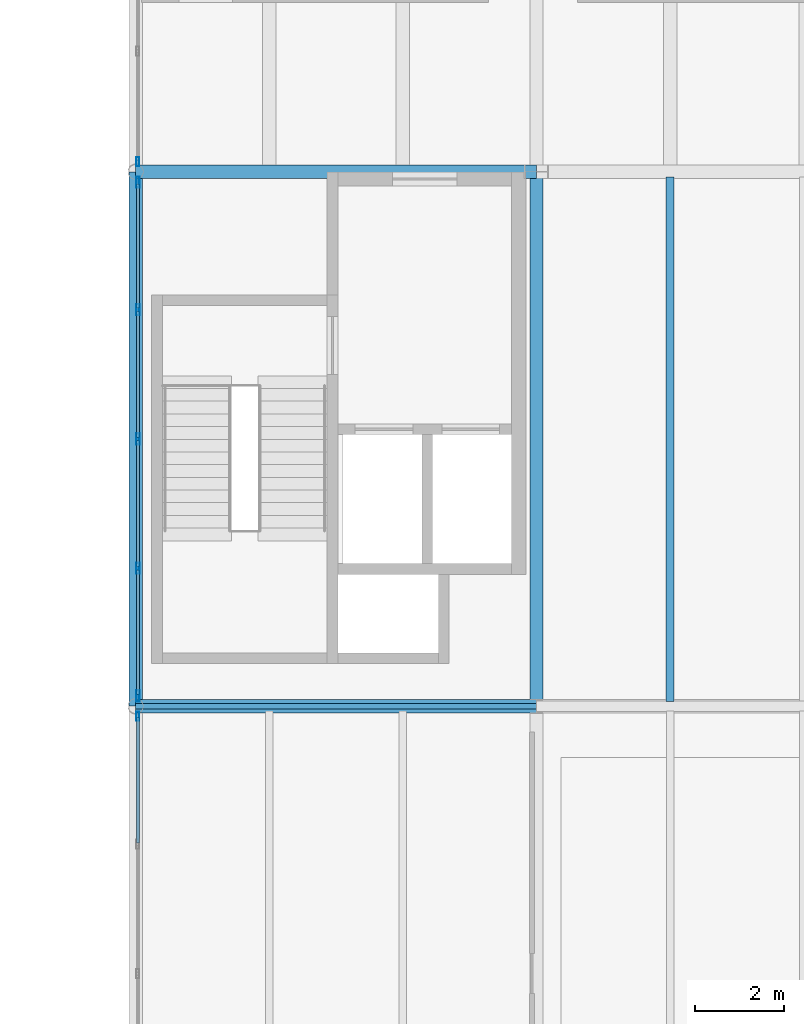
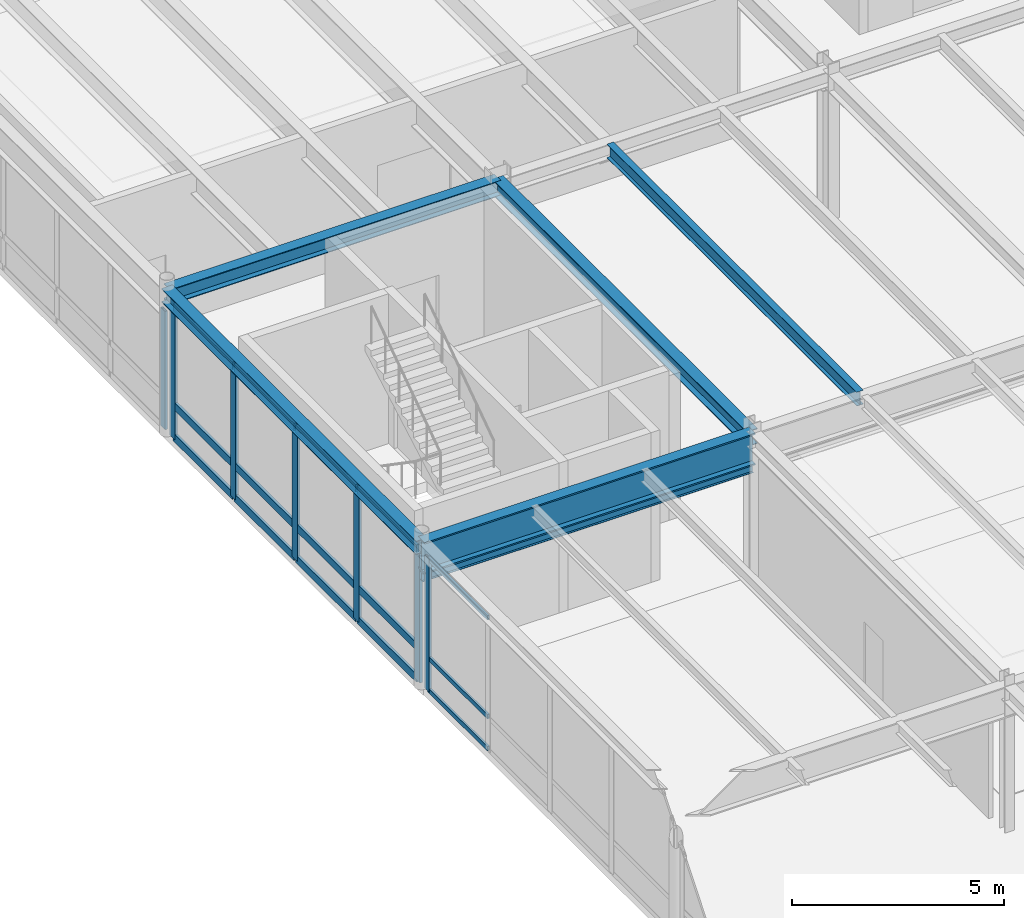
# One storey, part 72 of 127: 22 members, 6 beams, 3 elements without a shape of their own.
"""IFC4 building model written with IfcOpenShell, lengths in metres."""

from ifc_helpers import new_model, si_unit, direction, frame, origin, origin_2d, place, context, subcontext, project, spatial, hollow_rectangle, i_section, extrude, material, layer, layer_set, material_profile, profile_set, type_object, element, aggregate, save


model = new_model("IFC4")

# Units and contexts
model_context = context("Model", 3, precision=1e-05, world=origin(), true_north=direction((0.0, 1.0)))
body_context = subcontext(model_context, "Body", "Model", "MODEL_VIEW")
ifc_project = project(units=[si_unit("LENGTHUNIT", "METRE"), si_unit("AREAUNIT", "SQUARE_METRE"), si_unit("VOLUMEUNIT", "CUBIC_METRE"), si_unit("PLANEANGLEUNIT", "RADIAN"), si_unit("MASSUNIT", "GRAM", prefix="KILO")], contexts=[model_context])

# Site, building, storey
site_placement = place(None, origin())
site = spatial("IfcSite", under=ifc_project, at=site_placement, CompositionType="ELEMENT")
building_placement = place(site_placement, origin())
building = spatial("IfcBuilding", under=site, at=building_placement, Name="Montelvaro Courts of Justice", CompositionType="ELEMENT")
storey_placement = place(building_placement, frame((0.0, 0.0, 5.39990234375)))
storey = spatial("IfcBuildingStorey", under=building, at=storey_placement, Name="L01", CompositionType="ELEMENT", Elevation=5.39990234375)

# Beams
ifc_material_1 = material(Name="Steel S355", Category="steel")
ifc_material_profile_1 = material_profile(ifc_material_1, i_section(OverallWidth=0.300048828125, OverallDepth=0.389892578125, WebThickness=0.010986328125, FlangeThickness=0.01904296875, at=origin_2d()), Name="HEA 400")
ifc_profile_set_1 = profile_set([ifc_material_profile_1], Name="Steel S355")
beam_type_1 = type_object("IfcBeamType", Name="Beam_HEA400", PredefinedType="USERDEFINED", material=ifc_profile_set_1)
beam_1_placement = place(storey_placement, frame((99.0, 66.0, 4.005126953125), z_axis=(0.0, 1.0, 0.0), x_axis=(-1.0, 0.0, 0.0)))
element("IfcBeam", 1, at=beam_1_placement, inside=storey, type_object=beam_type_1, Name="Beam B-17 L01", ObjectType="GIRDER", PredefinedType="USERDEFINED", context=body_context, shape_type="SweptSolid", body=[
    extrude(i_section(OverallWidth=0.300048828125, OverallDepth=0.389892578125, WebThickness=0.010986328125, FlangeThickness=0.01904296875, at=origin_2d()), origin(), (0.0, 0.0, 1.0), 12.0),
])
ifc_material_profile_2 = material_profile(ifc_material_1, i_section(OverallWidth=0.300048828125, OverallDepth=0.43994140625, WebThickness=0.011474609375, FlangeThickness=0.02099609375, at=origin_2d()), Name="HEA 450")
ifc_profile_set_2 = profile_set([ifc_material_profile_2], Name="Steel S355")
beam_type_2 = type_object("IfcBeamType", Name="Beam_HEA450", PredefinedType="USERDEFINED", material=ifc_profile_set_2)
beam_2_placement = place(storey_placement, frame((99.0, 78.0, 3.97998046875), z_axis=(1.0, 0.0, 0.0), x_axis=(0.0, 1.0, 0.0)))
element("IfcBeam", 2, at=beam_2_placement, inside=storey, type_object=beam_type_2, Name="Beam B-18 L01", ObjectType="GIRDER", PredefinedType="USERDEFINED", context=body_context, shape_type="SweptSolid", body=[
    extrude(i_section(OverallWidth=0.300048828125, OverallDepth=0.43994140625, WebThickness=0.011474609375, FlangeThickness=0.02099609375, at=origin_2d()), origin(), (0.0, 0.0, 1.0), 9.0),
])
beam_3_placement = place(storey_placement, frame((108.0, 66.0, 3.97998046875), z_axis=(0.0, 1.0, 0.0), x_axis=(-1.0, 0.0, 0.0)))
element("IfcBeam", 3, at=beam_3_placement, inside=storey, type_object=beam_type_2, Name="Beam B-18 L01", ObjectType="GIRDER", PredefinedType="USERDEFINED", context=body_context, shape_type="SweptSolid", body=[
    extrude(i_section(OverallWidth=0.300048828125, OverallDepth=0.43994140625, WebThickness=0.011474609375, FlangeThickness=0.02099609375, at=origin_2d()), origin(), (0.0, 0.0, 1.0), 12.0),
])
ifc_material_profile_3 = material_profile(ifc_material_1, i_section(OverallWidth=0.302001953125, OverallDepth=0.909912109375, WebThickness=0.02099609375, FlangeThickness=0.0400390625, at=origin_2d()), Name="HEM 900")
ifc_profile_set_3 = profile_set([ifc_material_profile_3], Name="Steel S355")
beam_type_3 = type_object("IfcBeamType", Name="Beam_HEM900", PredefinedType="USERDEFINED", material=ifc_profile_set_3)
beam_4_placement = place(storey_placement, frame((99.0, 66.0, 3.7451171875), z_axis=(1.0, 0.0, 0.0), x_axis=(0.0, 1.0, 0.0)))
element("IfcBeam", 4, at=beam_4_placement, inside=storey, type_object=beam_type_3, Name="Beam B-31 L01", ObjectType="GIRDER", PredefinedType="USERDEFINED", context=body_context, shape_type="SweptSolid", body=[
    extrude(i_section(OverallWidth=0.302001953125, OverallDepth=0.909912109375, WebThickness=0.02099609375, FlangeThickness=0.0400390625, at=origin_2d()), origin(), (0.0, 0.0, 1.0), 9.0),
])
ifc_material_profile_4 = material_profile(ifc_material_1, i_section(OverallWidth=0.1201171875, OverallDepth=0.239990234375, WebThickness=0.006103515625, FlangeThickness=0.009765625, at=origin_2d()), Name="IPE 240")
ifc_profile_set_4 = profile_set([ifc_material_profile_4], Name="Steel S355")
beam_type_4 = type_object("IfcBeamType", Name="Beam_IPE240", PredefinedType="LINTEL", material=ifc_profile_set_4)
beam_5_placement = place(storey_placement, frame((99.0, 66.0, 3.130126953125), z_axis=(1.0, 0.0, 0.0), x_axis=(0.0, 1.0, 0.0)))
element("IfcBeam", 5, at=beam_5_placement, inside=storey, type_object=beam_type_4, Name="Beam B-03 L01", PredefinedType="LINTEL", context=body_context, shape_type="SweptSolid", body=[
    extrude(i_section(OverallWidth=0.1201171875, OverallDepth=0.239990234375, WebThickness=0.006103515625, FlangeThickness=0.009765625, at=origin_2d()), origin(), (0.0, 0.0, 1.0), 9.0),
])
ifc_material_profile_5 = material_profile(ifc_material_1, i_section(OverallWidth=0.179931640625, OverallDepth=0.39990234375, WebThickness=0.008544921875, FlangeThickness=0.013427734375, at=origin_2d()), Name="IPE 400")
ifc_profile_set_5 = profile_set([ifc_material_profile_5], Name="Steel S355")
beam_type_5 = type_object("IfcBeamType", Name="Beam_IPE400", PredefinedType="BEAM", material=ifc_profile_set_5)
beam_6_placement = place(storey_placement, frame((111.0, 66.110107421875, 4.0), z_axis=(0.0, 1.0, 0.0), x_axis=(-1.0, 0.0, 0.0)))
element("IfcBeam", 6, at=beam_6_placement, inside=storey, type_object=beam_type_5, Name="Beam B-08 L01", PredefinedType="BEAM", context=body_context, shape_type="SweptSolid", body=[
    extrude(i_section(OverallWidth=0.179931640625, OverallDepth=0.39990234375, WebThickness=0.008544921875, FlangeThickness=0.013427734375, at=origin_2d()), origin(), (0.0, 0.0, 1.0), 11.77978515625),
])

# Curtain wall, member
ifc_material_2 = material(Name="Anodised aluminium EN AW-6063", Category="aluminium")
ifc_layer_1 = layer(ifc_material_2, 0.159912109375)
ifc_layer_set_1 = layer_set([ifc_layer_1], Name="Anodised aluminium EN AW-6063")
curtain_wall_type_1 = type_object("IfcCurtainWallType", Name="CurtainWall_22_1761x418", PredefinedType="USERDEFINED", material=ifc_layer_set_1)
curtain_wall_1_placement = place(storey_placement, origin())
curtain_wall_1 = element("IfcCurtainWall", 7, at=curtain_wall_1_placement, inside=storey, type_object=curtain_wall_type_1, Name="Curtain Wall CW-22 (L01)", ObjectType="CURTAIN WALL", PredefinedType="USERDEFINED")
ifc_material_profile_6 = material_profile(ifc_material_2, hollow_rectangle(XDim=0.06494140625, YDim=0.2099609375, WallThickness=0.0048828125, at=origin_2d()), Name="ALU-M 65x210")
ifc_profile_set_6 = profile_set([ifc_material_profile_6], Name="Anodised aluminium EN AW-6063")
member_type_1 = type_object("IfcMemberType", Name="CurtainWall_Mullion_65x210", PredefinedType="MULLION", material=ifc_profile_set_6)
member_1_placement = place(storey_placement, frame((99.050048828125, 78.225341796875, 0.0), z_axis=(0.0, 0.0, 1.0), x_axis=(1.0, 0.0, 0.0)))
member_1 = element("IfcMember", 8, at=member_1_placement, type_object=member_type_1, Name="CW-22 mullion 8", PredefinedType="MULLION", context=body_context, shape_type="SweptSolid", body=[
    extrude(hollow_rectangle(XDim=0.06494140625, YDim=0.2099609375, WallThickness=0.0048828125, at=origin_2d()), origin(), (0.0, 0.0, 1.0), 3.405029296875),
])
aggregate(curtain_wall_1, [member_1])

ifc_layer_2 = layer(ifc_material_2, 0.159912109375)
ifc_layer_set_2 = layer_set([ifc_layer_2], Name="Anodised aluminium EN AW-6063")
curtain_wall_type_2 = type_object("IfcCurtainWallType", Name="CurtainWall_16_1165x418", PredefinedType="USERDEFINED", material=ifc_layer_set_2)
curtain_wall_2_placement = place(storey_placement, origin())
curtain_wall_2 = element("IfcCurtainWall", 9, at=curtain_wall_2_placement, inside=storey, type_object=curtain_wall_type_2, Name="Curtain Wall CW-16 (L01)", ObjectType="CURTAIN WALL", PredefinedType="USERDEFINED")
member_2_placement = place(storey_placement, frame((99.050048828125, 65.774658203125, 0.0), z_axis=(0.0, 0.0, 1.0), x_axis=(1.0, 0.0, 0.0)))
member_2 = element("IfcMember", 10, at=member_2_placement, type_object=member_type_1, Name="CW-16 mullion 1", PredefinedType="MULLION", context=body_context, shape_type="SweptSolid", body=[
    extrude(hollow_rectangle(XDim=0.06494140625, YDim=0.2099609375, WallThickness=0.0048828125, at=origin_2d()), origin(), (0.0, 0.0, 1.0), 3.8251953125),
])

# Curtain wall, members
ifc_layer_3 = layer(ifc_material_2, 0.159912109375)
ifc_layer_set_3 = layer_set([ifc_layer_3], Name="Anodised aluminium EN AW-6063")
curtain_wall_type_3 = type_object("IfcCurtainWallType", Name="CurtainWall_19_1159x418", PredefinedType="USERDEFINED", material=ifc_layer_set_3)
curtain_wall_3_placement = place(storey_placement, origin())
curtain_wall_3 = element("IfcCurtainWall", 11, at=curtain_wall_3_placement, inside=storey, type_object=curtain_wall_type_3, Name="Curtain Wall CW-19 (L01)", ObjectType="CURTAIN WALL", PredefinedType="USERDEFINED")
ifc_material_profile_7 = material_profile(ifc_material_2, hollow_rectangle(XDim=0.074951171875, YDim=0.25, WallThickness=0.005615234375, at=origin_2d()), Name="ALU-M 75x250")
ifc_profile_set_7 = profile_set([ifc_material_profile_7], Name="Anodised aluminium EN AW-6063")
member_type_2 = type_object("IfcMemberType", Name="CurtainWall_Mullion_75x250", PredefinedType="MULLION", material=ifc_profile_set_7)
member_3_placement = place(storey_placement, frame((99.050048828125, 77.769775390625, 0.0), z_axis=(0.0, 0.0, 1.0), x_axis=(1.0, 0.0, 0.0)))
member_3 = element("IfcMember", 12, at=member_3_placement, type_object=member_type_2, Name="CW-19 mullion 1", PredefinedType="MULLION", context=body_context, shape_type="SweptSolid", body=[
    extrude(hollow_rectangle(XDim=0.074951171875, YDim=0.25, WallThickness=0.005615234375, at=origin_2d()), origin(), (0.0, 0.0, 1.0), 3.80517578125),
])
member_4_placement = place(storey_placement, frame((99.050048828125, 74.903564453125, 0.0), z_axis=(0.0, 0.0, 1.0), x_axis=(1.0, 0.0, 0.0)))
member_4 = element("IfcMember", 13, at=member_4_placement, type_object=member_type_2, Name="CW-19 mullion 2", PredefinedType="MULLION", context=body_context, shape_type="SweptSolid", body=[
    extrude(hollow_rectangle(XDim=0.074951171875, YDim=0.25, WallThickness=0.005615234375, at=origin_2d()), origin(), (0.0, 0.0, 1.0), 3.80517578125),
])
member_5_placement = place(storey_placement, frame((99.050048828125, 72.0, 0.0), z_axis=(0.0, 0.0, 1.0), x_axis=(1.0, 0.0, 0.0)))
member_5 = element("IfcMember", 14, at=member_5_placement, type_object=member_type_2, Name="CW-19 mullion 3", PredefinedType="MULLION", context=body_context, shape_type="SweptSolid", body=[
    extrude(hollow_rectangle(XDim=0.074951171875, YDim=0.25, WallThickness=0.005615234375, at=origin_2d()), origin(), (0.0, 0.0, 1.0), 3.80517578125),
])
member_6_placement = place(storey_placement, frame((99.050048828125, 69.096435546875, 0.0), z_axis=(0.0, 0.0, 1.0), x_axis=(1.0, 0.0, 0.0)))
member_6 = element("IfcMember", 15, at=member_6_placement, type_object=member_type_2, Name="CW-19 mullion 4", PredefinedType="MULLION", context=body_context, shape_type="SweptSolid", body=[
    extrude(hollow_rectangle(XDim=0.074951171875, YDim=0.25, WallThickness=0.005615234375, at=origin_2d()), origin(), (0.0, 0.0, 1.0), 3.80517578125),
])
member_7_placement = place(storey_placement, frame((99.050048828125, 66.230224609375, 0.0), z_axis=(0.0, 0.0, 1.0), x_axis=(1.0, 0.0, 0.0)))
member_7 = element("IfcMember", 16, at=member_7_placement, type_object=member_type_2, Name="CW-19 mullion 5", PredefinedType="MULLION", context=body_context, shape_type="SweptSolid", body=[
    extrude(hollow_rectangle(XDim=0.074951171875, YDim=0.25, WallThickness=0.005615234375, at=origin_2d()), origin(), (0.0, 0.0, 1.0), 3.80517578125),
])

# Member
ifc_material_profile_8 = material_profile(ifc_material_2, hollow_rectangle(XDim=0.06005859375, YDim=0.1298828125, WallThickness=0.00390625, at=origin_2d()), Name="ALU-T 60x130")
ifc_profile_set_8 = profile_set([ifc_material_profile_8], Name="Anodised aluminium EN AW-6063")
member_type_3 = type_object("IfcMemberType", Name="CurtainWall_Transom_60x130", PredefinedType="USERDEFINED", material=ifc_profile_set_8)
member_8_placement = place(storey_placement, frame((99.050048828125, 65.7421875, 0.030029296875), z_axis=(0.0, -1.0, 0.0), x_axis=(1.0, 0.0, 0.0)))
member_8 = element("IfcMember", 17, at=member_8_placement, type_object=member_type_3, Name="CW-16 transom 1.1", ObjectType="TRANSOM", PredefinedType="USERDEFINED", context=body_context, shape_type="SweptSolid", body=[
    extrude(hollow_rectangle(XDim=0.06005859375, YDim=0.1298828125, WallThickness=0.00390625, at=origin_2d()), origin(), (0.0, 0.0, 1.0), 2.81005859375),
])

member_9_placement = place(storey_placement, frame((99.050048828125, 65.7421875, 0.9501953125), z_axis=(0.0, -1.0, 0.0), x_axis=(1.0, 0.0, 0.0)))
member_9 = element("IfcMember", 18, at=member_9_placement, type_object=member_type_3, Name="CW-16 transom 1.2", ObjectType="TRANSOM", PredefinedType="USERDEFINED", context=body_context, shape_type="SweptSolid", body=[
    extrude(hollow_rectangle(XDim=0.06005859375, YDim=0.1298828125, WallThickness=0.00390625, at=origin_2d()), origin(), (0.0, 0.0, 1.0), 2.81005859375),
])

member_10_placement = place(storey_placement, frame((99.050048828125, 65.7421875, 3.795166015625), z_axis=(0.0, -1.0, 0.0), x_axis=(1.0, 0.0, 0.0)))
member_10 = element("IfcMember", 19, at=member_10_placement, type_object=member_type_3, Name="CW-16 transom 1.3", ObjectType="TRANSOM", PredefinedType="USERDEFINED", context=body_context, shape_type="SweptSolid", body=[
    extrude(hollow_rectangle(XDim=0.06005859375, YDim=0.1298828125, WallThickness=0.00390625, at=origin_2d()), origin(), (0.0, 0.0, 1.0), 2.81005859375),
])

aggregate(curtain_wall_2, [member_2, member_8, member_9, member_10])

ifc_material_profile_9 = material_profile(ifc_material_2, hollow_rectangle(XDim=0.074951171875, YDim=0.219970703125, WallThickness=0.005615234375, at=origin_2d()), Name="ALU-T 75x220")
ifc_profile_set_9 = profile_set([ifc_material_profile_9], Name="Anodised aluminium EN AW-6063")
member_type_4 = type_object("IfcMemberType", Name="CurtainWall_Transom_75x220", PredefinedType="USERDEFINED", material=ifc_profile_set_9)
member_11_placement = place(storey_placement, frame((99.050048828125, 77.732177734375, 0.03759765625), z_axis=(0.0, -1.0, 0.0), x_axis=(1.0, 0.0, 0.0)))
member_11 = element("IfcMember", 20, at=member_11_placement, type_object=member_type_4, Name="CW-19 transom 1.1", ObjectType="TRANSOM", PredefinedType="USERDEFINED", context=body_context, shape_type="SweptSolid", body=[
    extrude(hollow_rectangle(XDim=0.074951171875, YDim=0.219970703125, WallThickness=0.005615234375, at=origin_2d()), origin(), (0.0, 0.0, 1.0), 2.791015625),
])

member_12_placement = place(storey_placement, frame((99.050048828125, 77.732177734375, 0.9501953125), z_axis=(0.0, -1.0, 0.0), x_axis=(1.0, 0.0, 0.0)))
member_12 = element("IfcMember", 21, at=member_12_placement, type_object=member_type_4, Name="CW-19 transom 1.2", ObjectType="TRANSOM", PredefinedType="USERDEFINED", context=body_context, shape_type="SweptSolid", body=[
    extrude(hollow_rectangle(XDim=0.074951171875, YDim=0.219970703125, WallThickness=0.005615234375, at=origin_2d()), origin(), (0.0, 0.0, 1.0), 2.791015625),
])

member_13_placement = place(storey_placement, frame((99.050048828125, 77.732177734375, 3.767578125), z_axis=(0.0, -1.0, 0.0), x_axis=(1.0, 0.0, 0.0)))
member_13 = element("IfcMember", 22, at=member_13_placement, type_object=member_type_4, Name="CW-19 transom 1.3", ObjectType="TRANSOM", PredefinedType="USERDEFINED", context=body_context, shape_type="SweptSolid", body=[
    extrude(hollow_rectangle(XDim=0.074951171875, YDim=0.219970703125, WallThickness=0.005615234375, at=origin_2d()), origin(), (0.0, 0.0, 1.0), 2.791015625),
])

member_14_placement = place(storey_placement, frame((99.050048828125, 74.8662109375, 0.03759765625), z_axis=(0.0, -1.0, 0.0), x_axis=(1.0, 0.0, 0.0)))
member_14 = element("IfcMember", 23, at=member_14_placement, type_object=member_type_4, Name="CW-19 transom 2.1", ObjectType="TRANSOM", PredefinedType="USERDEFINED", context=body_context, shape_type="SweptSolid", body=[
    extrude(hollow_rectangle(XDim=0.074951171875, YDim=0.219970703125, WallThickness=0.005615234375, at=origin_2d()), origin(), (0.0, 0.0, 1.0), 2.82861328125),
])

member_15_placement = place(storey_placement, frame((99.050048828125, 74.8662109375, 0.9501953125), z_axis=(0.0, -1.0, 0.0), x_axis=(1.0, 0.0, 0.0)))
member_15 = element("IfcMember", 24, at=member_15_placement, type_object=member_type_4, Name="CW-19 transom 2.2", ObjectType="TRANSOM", PredefinedType="USERDEFINED", context=body_context, shape_type="SweptSolid", body=[
    extrude(hollow_rectangle(XDim=0.074951171875, YDim=0.219970703125, WallThickness=0.005615234375, at=origin_2d()), origin(), (0.0, 0.0, 1.0), 2.82861328125),
])

member_16_placement = place(storey_placement, frame((99.050048828125, 74.8662109375, 3.767578125), z_axis=(0.0, -1.0, 0.0), x_axis=(1.0, 0.0, 0.0)))
member_16 = element("IfcMember", 25, at=member_16_placement, type_object=member_type_4, Name="CW-19 transom 2.3", ObjectType="TRANSOM", PredefinedType="USERDEFINED", context=body_context, shape_type="SweptSolid", body=[
    extrude(hollow_rectangle(XDim=0.074951171875, YDim=0.219970703125, WallThickness=0.005615234375, at=origin_2d()), origin(), (0.0, 0.0, 1.0), 2.82861328125),
])

member_17_placement = place(storey_placement, frame((99.050048828125, 71.96240234375, 0.03759765625), z_axis=(0.0, -1.0, 0.0), x_axis=(1.0, 0.0, 0.0)))
member_17 = element("IfcMember", 26, at=member_17_placement, type_object=member_type_4, Name="CW-19 transom 3.1", ObjectType="TRANSOM", PredefinedType="USERDEFINED", context=body_context, shape_type="SweptSolid", body=[
    extrude(hollow_rectangle(XDim=0.074951171875, YDim=0.219970703125, WallThickness=0.005615234375, at=origin_2d()), origin(), (0.0, 0.0, 1.0), 2.82861328125),
])

member_18_placement = place(storey_placement, frame((99.050048828125, 71.96240234375, 0.9501953125), z_axis=(0.0, -1.0, 0.0), x_axis=(1.0, 0.0, 0.0)))
member_18 = element("IfcMember", 27, at=member_18_placement, type_object=member_type_4, Name="CW-19 transom 3.2", ObjectType="TRANSOM", PredefinedType="USERDEFINED", context=body_context, shape_type="SweptSolid", body=[
    extrude(hollow_rectangle(XDim=0.074951171875, YDim=0.219970703125, WallThickness=0.005615234375, at=origin_2d()), origin(), (0.0, 0.0, 1.0), 2.82861328125),
])

member_19_placement = place(storey_placement, frame((99.050048828125, 71.96240234375, 3.767578125), z_axis=(0.0, -1.0, 0.0), x_axis=(1.0, 0.0, 0.0)))
member_19 = element("IfcMember", 28, at=member_19_placement, type_object=member_type_4, Name="CW-19 transom 3.3", ObjectType="TRANSOM", PredefinedType="USERDEFINED", context=body_context, shape_type="SweptSolid", body=[
    extrude(hollow_rectangle(XDim=0.074951171875, YDim=0.219970703125, WallThickness=0.005615234375, at=origin_2d()), origin(), (0.0, 0.0, 1.0), 2.82861328125),
])

member_20_placement = place(storey_placement, frame((99.050048828125, 69.058837890625, 0.03759765625), z_axis=(0.0, -1.0, 0.0), x_axis=(1.0, 0.0, 0.0)))
member_20 = element("IfcMember", 29, at=member_20_placement, type_object=member_type_4, Name="CW-19 transom 4.1", ObjectType="TRANSOM", PredefinedType="USERDEFINED", context=body_context, shape_type="SweptSolid", body=[
    extrude(hollow_rectangle(XDim=0.074951171875, YDim=0.219970703125, WallThickness=0.005615234375, at=origin_2d()), origin(), (0.0, 0.0, 1.0), 2.791015625),
])

member_21_placement = place(storey_placement, frame((99.050048828125, 69.058837890625, 0.9501953125), z_axis=(0.0, -1.0, 0.0), x_axis=(1.0, 0.0, 0.0)))
member_21 = element("IfcMember", 30, at=member_21_placement, type_object=member_type_4, Name="CW-19 transom 4.2", ObjectType="TRANSOM", PredefinedType="USERDEFINED", context=body_context, shape_type="SweptSolid", body=[
    extrude(hollow_rectangle(XDim=0.074951171875, YDim=0.219970703125, WallThickness=0.005615234375, at=origin_2d()), origin(), (0.0, 0.0, 1.0), 2.791015625),
])

member_22_placement = place(storey_placement, frame((99.050048828125, 69.058837890625, 3.767578125), z_axis=(0.0, -1.0, 0.0), x_axis=(1.0, 0.0, 0.0)))
member_22 = element("IfcMember", 31, at=member_22_placement, type_object=member_type_4, Name="CW-19 transom 4.3", ObjectType="TRANSOM", PredefinedType="USERDEFINED", context=body_context, shape_type="SweptSolid", body=[
    extrude(hollow_rectangle(XDim=0.074951171875, YDim=0.219970703125, WallThickness=0.005615234375, at=origin_2d()), origin(), (0.0, 0.0, 1.0), 2.791015625),
])

aggregate(curtain_wall_3, [member_3, member_4, member_5, member_6, member_7, member_11, member_12, member_13, member_14, member_15, member_16, member_17, member_18, member_19, member_20, member_21, member_22])

save(model, "model.ifc")
